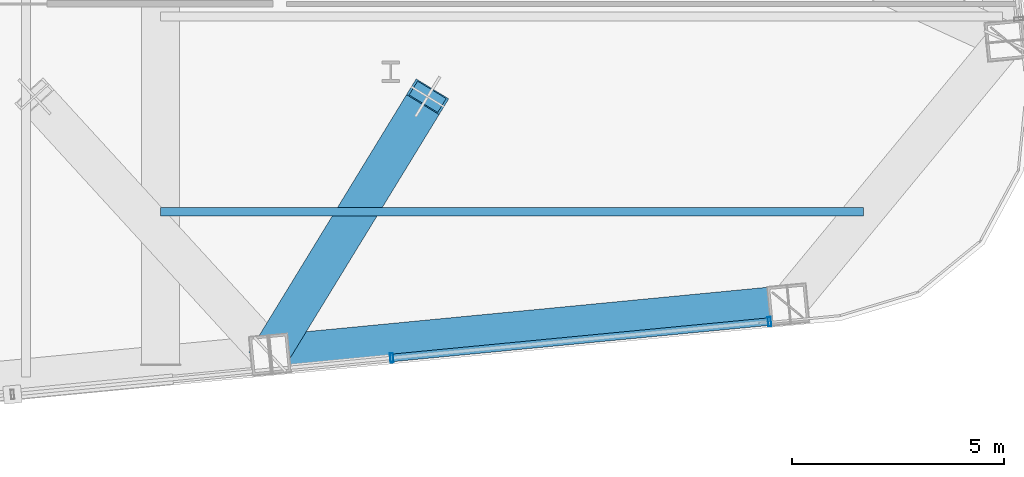
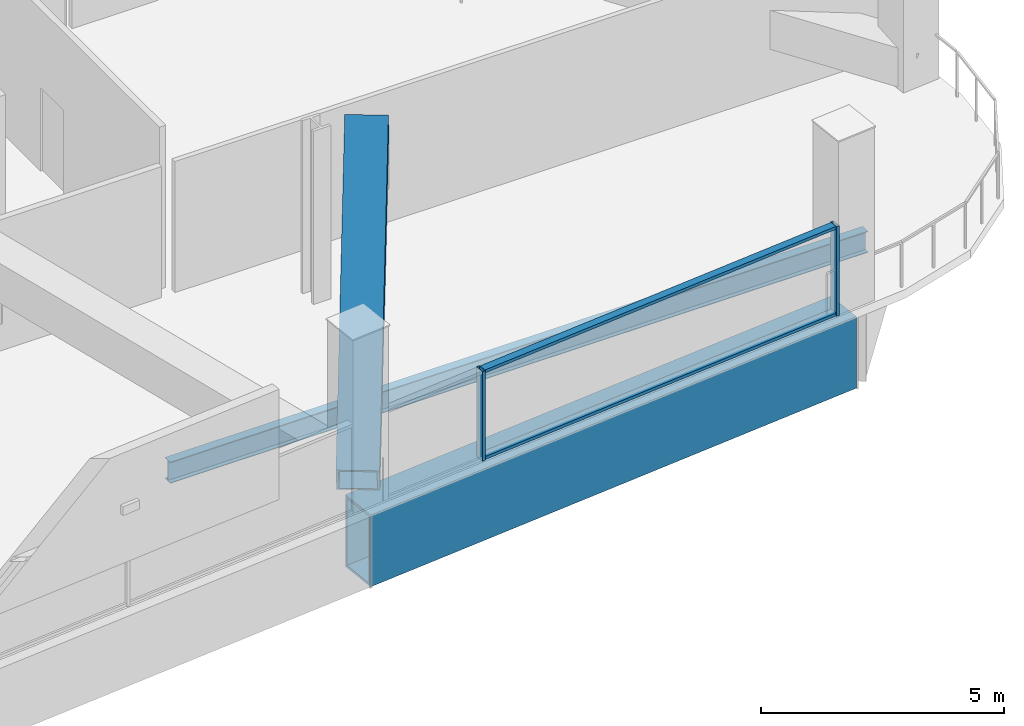
# One storey, part 9 of 30: 5 members, 2 beams, 1 element without a shape of its own.
"""IFC4 building model written with IfcOpenShell, lengths in metres."""

from ifc_helpers import new_model, si_unit, direction, frame, origin, origin_2d, place, context, subcontext, project, spatial, hollow_rectangle, i_section, extrude, material, layer, layer_set, material_profile, profile_set, type_object, element, aggregate, save


model = new_model("IFC4")

# Units and contexts
model_context = context("Model", 3, precision=1e-05, world=origin(), true_north=direction((0.0, 1.0)))
body_context = subcontext(model_context, "Body", "Model", "MODEL_VIEW")
ifc_project = project(units=[si_unit("LENGTHUNIT", "METRE"), si_unit("AREAUNIT", "SQUARE_METRE"), si_unit("VOLUMEUNIT", "CUBIC_METRE"), si_unit("PLANEANGLEUNIT", "RADIAN"), si_unit("MASSUNIT", "GRAM", prefix="KILO")], contexts=[model_context])

# Site, building, storey
site_placement = place(None, origin())
site = spatial("IfcSite", under=ifc_project, at=site_placement, CompositionType="ELEMENT")
building_placement = place(site_placement, origin())
building = spatial("IfcBuilding", under=site, at=building_placement, Name="Qhalaya Broadcast Tower", CompositionType="ELEMENT")
storey_placement = place(building_placement, frame((0.0, 0.0, 96.89990234375)))
storey = spatial("IfcBuildingStorey", under=building, at=storey_placement, Name="L28", CompositionType="ELEMENT", Elevation=96.89990234375)

# Beams
ifc_material_1 = material(Name="Structural Steel ASTM A572 Grade 50", Category="steel")
ifc_material_profile_1 = material_profile(ifc_material_1, hollow_rectangle(XDim=0.89990234375, YDim=1.800048828125, WallThickness=0.06005859375, at=origin_2d()), Name="BOX 900x1800x60")
ifc_profile_set_1 = profile_set([ifc_material_profile_1], Name="Structural Steel ASTM A572 Grade 50")
beam_type_1 = type_object("IfcBeamType", Name="Block Cantilever Transfer Box Girder TG1", PredefinedType="USERDEFINED", material=ifc_profile_set_1)
beam_1_placement = place(storey_placement, frame((11.955078125, -19.861083984375, -1.119873046875), z_axis=(0.995397535354, 0.095831866369, 0.0), x_axis=(-0.095831866369, 0.995397535354, 0.0)))
element("IfcBeam", 1, at=beam_1_placement, inside=storey, type_object=beam_type_1, Name="L28 TG1 L28-SPR-03", ObjectType="GIRDER", PredefinedType="USERDEFINED", context=body_context, shape_type="SweptSolid", body=[
    extrude(hollow_rectangle(XDim=0.89990234375, YDim=1.800048828125, WallThickness=0.06005859375, at=origin_2d()), origin(), (0.0, 0.0, 1.0), 12.2666015625),
])
ifc_material_2 = material(Name="Structural Steel ASTM A992 Grade 50", Category="steel")
ifc_material_profile_2 = material_profile(ifc_material_2, i_section(OverallWidth=0.2099609375, OverallDepth=0.535888671875, WebThickness=0.010986328125, FlangeThickness=0.017333984375, at=origin_2d()), Name="W21X68")
ifc_profile_set_2 = profile_set([ifc_material_profile_2], Name="Structural Steel ASTM A992 Grade 50")
beam_type_2 = type_object("IfcBeamType", Name="Composite Floor Joist J02", PredefinedType="JOIST", material=ifc_profile_set_2)
beam_2_placement = place(storey_placement, frame((9.375, -16.5, -0.48779296875), z_axis=(1.0, 0.0, 0.0), x_axis=(0.0, 1.0, 0.0)))
element("IfcBeam", 2, at=beam_2_placement, inside=storey, type_object=beam_type_2, Name="L28 J02 L28-JWE1E-1", PredefinedType="JOIST", context=body_context, shape_type="SweptSolid", body=[
    extrude(i_section(OverallWidth=0.2099609375, OverallDepth=0.535888671875, WebThickness=0.010986328125, FlangeThickness=0.017333984375, at=origin_2d()), origin(), (0.0, 0.0, 1.0), 16.56591796875),
])

# Member
ifc_material_profile_3 = material_profile(ifc_material_1, hollow_rectangle(XDim=0.89990234375, YDim=0.89990234375, WallThickness=0.054931640625, at=origin_2d()), Name="BOX 900x900x55")
ifc_profile_set_3 = profile_set([ifc_material_profile_3], Name="Structural Steel ASTM A572 Grade 50")
member_type_1 = type_object("IfcMemberType", Name="Heavy Exoskeleton Transfer Strut RK1", PredefinedType="BRACE", material=ifc_profile_set_3)
member_1_placement = place(storey_placement, frame((11.955078125, -19.861083984375, 0.40380859375), z_axis=(0.456468059659, 0.7459904863, 0.484907315742), x_axis=(-0.852984077956, 0.521936933694, 0.0)))
element("IfcMember", 3, at=member_1_placement, inside=storey, type_object=member_type_1, Name="L28 Inclined Exoskeleton Transfer Strut 04", PredefinedType="BRACE", context=body_context, shape_type="SweptSolid", body=[
    extrude(hollow_rectangle(XDim=0.89990234375, YDim=0.89990234375, WallThickness=0.054931640625, at=origin_2d()), origin(), (0.0, 0.0, 1.0), 8.13818359375),
])

# Curtain wall, members
ifc_material_3 = material(Name="Fired Architectural Terracotta", Category="masonry")
ifc_layer = layer(ifc_material_3, 0.219970703125, Name="Fired Architectural Terracotta")
ifc_layer_set = layer_set([ifc_layer], Name="Fired Architectural Terracotta")
curtain_wall_type = type_object("IfcCurtainWallType", Name="Block-Cap Unitised Terracotta Spandrel Wall CW-07", PredefinedType="NOTDEFINED", material=ifc_layer_set)
curtain_wall_placement = place(storey_placement, origin())
curtain_wall = element("IfcCurtainWall", 4, at=curtain_wall_placement, inside=storey, type_object=curtain_wall_type, Name="L28 Unitised Curtain Wall L28-CW-S", PredefinedType="NOTDEFINED")
ifc_material_4 = material(Name="Anodised Aluminium 6063-T6", Category="aluminium")
ifc_material_profile_4 = material_profile(ifc_material_4, hollow_rectangle(XDim=0.074951171875, YDim=0.219970703125, WallThickness=0.00390625, at=origin_2d()), Name="ALU-MUL 75x220x4")
ifc_profile_set_4 = profile_set([ifc_material_profile_4], Name="Anodised Aluminium 6063-T6")
member_type_2 = type_object("IfcMemberType", Name="Unitised Curtain-Wall Mullion M01", PredefinedType="MULLION", material=ifc_profile_set_4)
member_2_placement = place(storey_placement, frame((23.726318359375, -19.08935546875, 0.0), z_axis=(0.0, 0.0, 1.0), x_axis=(-0.995396096278, -0.095846812756, 0.0)))
member_2 = element("IfcMember", 5, at=member_2_placement, type_object=member_type_2, Name="CW-07 mullion 1", PredefinedType="MULLION", context=body_context, shape_type="SweptSolid", body=[
    extrude(hollow_rectangle(XDim=0.074951171875, YDim=0.219970703125, WallThickness=0.00390625, at=origin_2d()), origin(), (0.0, 0.0, 1.0), 2.25),
])
member_3_placement = place(storey_placement, frame((14.823974609375, -19.946533203125, 0.0), z_axis=(0.0, 0.0, 1.0), x_axis=(-0.995396096278, -0.095846812756, 0.0)))
member_3 = element("IfcMember", 6, at=member_3_placement, type_object=member_type_2, Name="CW-07 mullion 2", PredefinedType="MULLION", context=body_context, shape_type="SweptSolid", body=[
    extrude(hollow_rectangle(XDim=0.074951171875, YDim=0.219970703125, WallThickness=0.00390625, at=origin_2d()), origin(), (0.0, 0.0, 1.0), 2.25),
])
ifc_material_profile_5 = material_profile(ifc_material_4, hollow_rectangle(XDim=0.074951171875, YDim=0.179931640625, WallThickness=0.00390625, at=origin_2d()), Name="ALU-TRN 75x180x4")
ifc_profile_set_5 = profile_set([ifc_material_profile_5], Name="Anodised Aluminium 6063-T6")
member_type_3 = type_object("IfcMemberType", Name="Unitised Curtain-Wall Transom T01", PredefinedType="USERDEFINED", material=ifc_profile_set_5)
member_4_placement = place(storey_placement, frame((23.68896484375, -19.093017578125, 0.03759765625), z_axis=(-0.99539519872, -0.095856133689, 0.0), x_axis=(0.0, 0.0, 1.0)))
member_4 = element("IfcMember", 7, at=member_4_placement, type_object=member_type_3, Name="CW-07 transom 1.1", ObjectType="TRANSOM", PredefinedType="USERDEFINED", context=body_context, shape_type="SweptSolid", body=[
    extrude(hollow_rectangle(XDim=0.074951171875, YDim=0.179931640625, WallThickness=0.00390625, at=origin_2d()), origin(), (0.0, 0.0, 1.0), 8.868408203125),
])
member_5_placement = place(storey_placement, frame((23.68896484375, -19.093017578125, 2.212646484375), z_axis=(-0.99539519872, -0.095856133689, 0.0), x_axis=(0.0, 0.0, 1.0)))
member_5 = element("IfcMember", 8, at=member_5_placement, type_object=member_type_3, Name="CW-07 transom 1.2", ObjectType="TRANSOM", PredefinedType="USERDEFINED", context=body_context, shape_type="SweptSolid", body=[
    extrude(hollow_rectangle(XDim=0.074951171875, YDim=0.179931640625, WallThickness=0.00390625, at=origin_2d()), origin(), (0.0, 0.0, 1.0), 8.868408203125),
])
aggregate(curtain_wall, [member_2, member_3, member_4, member_5])

save(model, "model.ifc")
